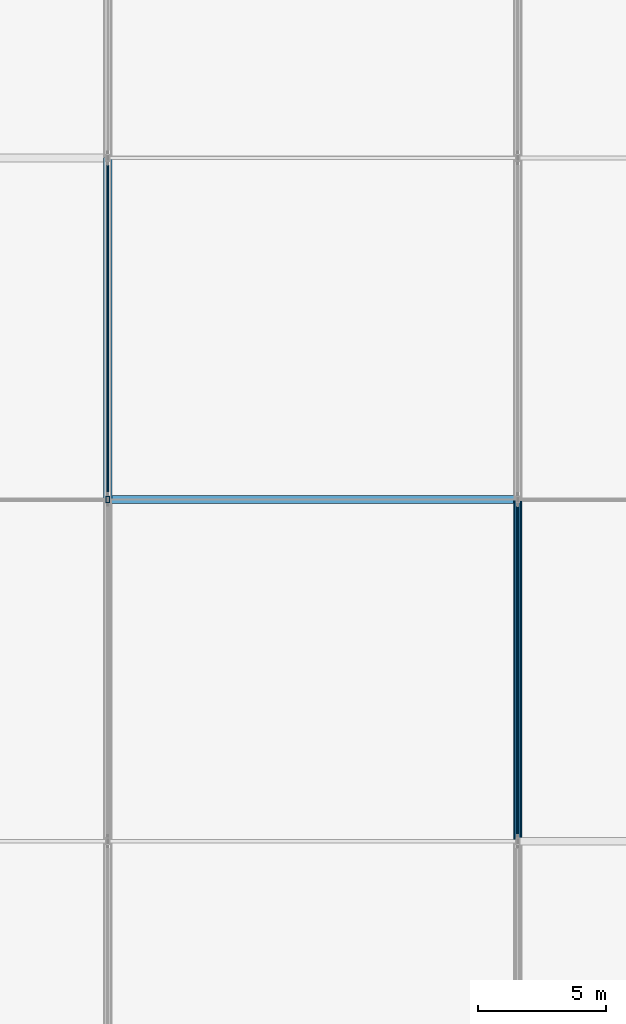
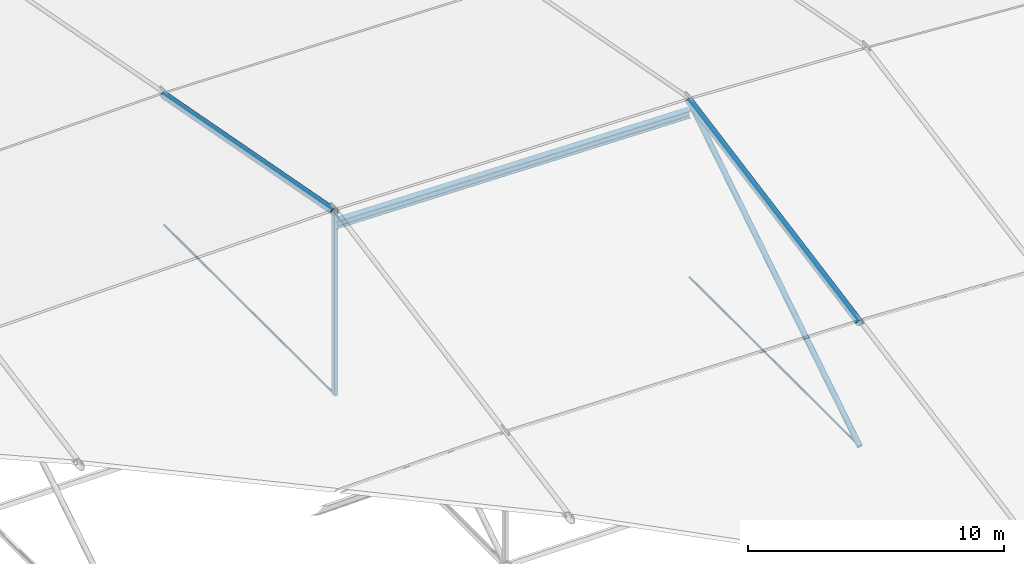
# One storey, part 11 of 30: 7 members.
"""IFC4 building model written with IfcOpenShell, lengths in metres."""

from ifc_helpers import new_model, si_unit, direction, frame, origin, origin_2d, place, context, subcontext, project, spatial, hollow_rectangle, circle, hollow_circle, i_section, extrude, material, material_profile, profile_set, type_object, element, save


model = new_model("IFC4")

# Units and contexts
model_context = context("Model", 3, precision=1e-05, world=origin(), true_north=direction((0.0, 1.0)))
body_context = subcontext(model_context, "Body", "Model", "MODEL_VIEW")
ifc_project = project(units=[si_unit("LENGTHUNIT", "METRE"), si_unit("AREAUNIT", "SQUARE_METRE"), si_unit("VOLUMEUNIT", "CUBIC_METRE"), si_unit("PLANEANGLEUNIT", "RADIAN"), si_unit("MASSUNIT", "GRAM", prefix="KILO")], contexts=[model_context])

# Site, building, storey
site_placement = place(None, origin())
site = spatial("IfcSite", under=ifc_project, at=site_placement, CompositionType="ELEMENT")
building_placement = place(site_placement, origin())
building = spatial("IfcBuilding", under=site, at=building_placement, Name="Tazarka Park Arena", CompositionType="ELEMENT")
storey_placement = place(building_placement, frame((0.0, 0.0, 29.39990234375)))
storey = spatial("IfcBuildingStorey", under=building, at=storey_placement, Name="Roof", CompositionType="ELEMENT", Elevation=29.39990234375)

# Members
ifc_material_1 = material(Name="Steel S355", Category="steel")
ifc_material_profile_1 = material_profile(ifc_material_1, hollow_circle(Radius=0.122314453125, WallThickness=0.012451171875, at=origin_2d()), Name="Steel S355")
ifc_profile_set_1 = profile_set([ifc_material_profile_1], Name="Steel S355")
member_type_1 = type_object("IfcMemberType", Name="MEM-BR-05", PredefinedType="BRACE", material=ifc_profile_set_1)
member_1_placement = place(storey_placement, frame((104.0, 50.666748046875, -0.0498046875), z_axis=(0.0, 0.846043935239, 0.533113177144), x_axis=(-1.0, 0.0, 0.0)))
element("IfcMember", 1, at=member_1_placement, inside=storey, type_object=member_type_1, Name="CBD-05-2", PredefinedType="BRACE", context=body_context, shape_type="SweptSolid", body=[
    extrude(hollow_circle(Radius=0.122314453125, WallThickness=0.012451171875, at=origin_2d()), origin(), (0.0, 0.0, 1.0), 15.759521484375),
])
ifc_material_2 = material(Name="Locked-coil steel cable S1570", Category="steel")
ifc_material_profile_2 = material_profile(ifc_material_2, circle(Radius=0.044921875, at=origin_2d()), Name="Locked-coil steel cable S1570")
ifc_profile_set_2 = profile_set([ifc_material_profile_2], Name="Locked-coil steel cable S1570")
member_type_2 = type_object("IfcMemberType", Name="MEM-CBL-04", PredefinedType="USERDEFINED", material=ifc_profile_set_2)
for number, where, z_axis, x_axis, name in (
    (2, (88.0, 64.0, -0.0498046875), (0.0, 1.0, 0.0), (-1.0, 0.0, 0.0), "CABLE CBL-04-5-4"),
    (3, (104.0, 50.666748046875, -0.0498046875), (0.0, 1.0, 0.0), (-1.0, 0.0, 0.0), "CABLE CBL-04-6-3"),
):
    element("IfcMember", number, at=place(storey_placement, frame(where, z_axis=z_axis, x_axis=x_axis)), inside=storey, type_object=member_type_2, Name=name, ObjectType="CABLE", PredefinedType="USERDEFINED", context=body_context, shape_type="SweptSolid", body=[
        extrude(circle(Radius=0.044921875, at=origin_2d()), origin(), (0.0, 0.0, 1.0), 13.333251953125),
    ])
ifc_material_3 = material(Name="Steel S460", Category="steel")
ifc_material_profile_3 = material_profile(ifc_material_3, hollow_circle(Radius=0.161865234375, WallThickness=0.01611328125, at=origin_2d()), Name="Steel S460")
ifc_profile_set_3 = profile_set([ifc_material_profile_3], Name="Steel S460")
member_type_3 = type_object("IfcMemberType", Name="MEM-CH-03", PredefinedType="CHORD", material=ifc_profile_set_3)
member_2_placement = place(storey_placement, frame((88.0, 64.0, 8.650146484375), z_axis=(0.0, 0.98267915422, -0.18531508266), x_axis=(-1.0, 0.0, 0.0)))
element("IfcMember", 4, at=member_2_placement, inside=storey, type_object=member_type_3, Name="CABLE ARCH CHORD 5-4", PredefinedType="CHORD", context=body_context, shape_type="SweptSolid", body=[
    extrude(hollow_circle(Radius=0.161865234375, WallThickness=0.01611328125, at=origin_2d()), origin(), (0.0, 0.0, 1.0), 13.568359375),
])
member_3_placement = place(storey_placement, frame((104.0, 50.666748046875, 5.837646484375), z_axis=(0.0, 0.982682430789, 0.185297706998), x_axis=(-1.0, 0.0, 0.0)))
element("IfcMember", 5, at=member_3_placement, inside=storey, type_object=member_type_3, Name="CABLE ARCH CHORD 6-3", PredefinedType="CHORD", context=body_context, shape_type="SweptSolid", body=[
    extrude(hollow_circle(Radius=0.161865234375, WallThickness=0.01611328125, at=origin_2d()), origin(), (0.0, 0.0, 1.0), 13.568115234375),
])
ifc_material_4 = material(Name="Steel S355", Category="steel")
ifc_material_profile_4 = material_profile(ifc_material_4, i_section(OverallWidth=0.300048828125, OverallDepth=0.35009765625, WebThickness=0.010009765625, FlangeThickness=0.017578125, FilletRadius=0.027099609375, at=origin_2d()), Name="Steel S355")
ifc_profile_set_4 = profile_set([ifc_material_profile_4], Name="Steel S355")
member_type_4 = type_object("IfcMemberType", Name="MEM-PR-04", PredefinedType="PURLIN", material=ifc_profile_set_4)
member_4_placement = place(storey_placement, frame((88.0, 64.0, 8.090087890625), z_axis=(0.999826488435, 0.0, -0.018627748755), x_axis=(0.0, 1.0, 0.0)))
element("IfcMember", 6, at=member_4_placement, inside=storey, type_object=member_type_4, Name="RPM-04-03", PredefinedType="PURLIN", context=body_context, shape_type="SweptSolid", body=[
    extrude(i_section(OverallWidth=0.300048828125, OverallDepth=0.35009765625, WebThickness=0.010009765625, FlangeThickness=0.017578125, FilletRadius=0.027099609375, at=origin_2d()), origin(), (0.0, 0.0, 1.0), 16.002685546875),
])
ifc_material_5 = material(Name="Steel S355", Category="steel")
ifc_material_profile_5 = material_profile(ifc_material_5, hollow_rectangle(XDim=0.14990234375, YDim=0.25, WallThickness=0.010009765625, at=origin_2d()), Name="Steel S355")
ifc_profile_set_5 = profile_set([ifc_material_profile_5], Name="Steel S355")
member_type_5 = type_object("IfcMemberType", Name="MEM-PT-02", PredefinedType="POST", material=ifc_profile_set_5)
member_5_placement = place(storey_placement, frame((88.0, 64.0, -0.0498046875), z_axis=(0.0, 0.0, 1.0), x_axis=(1.0, 0.0, 0.0)))
element("IfcMember", 7, at=member_5_placement, inside=storey, type_object=member_type_5, Name="CBH-04-3", PredefinedType="POST", context=body_context, shape_type="SweptSolid", body=[
    extrude(hollow_rectangle(XDim=0.14990234375, YDim=0.25, WallThickness=0.010009765625, at=origin_2d()), origin(), (0.0, 0.0, 1.0), 8.699951171875),
])

save(model, "model.ifc")
